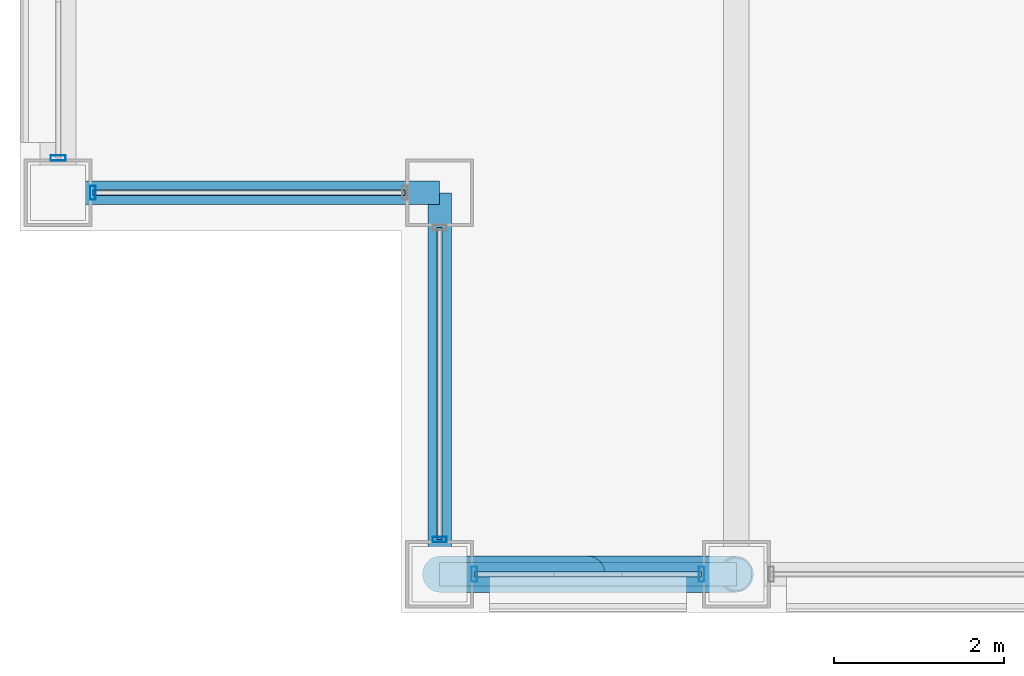
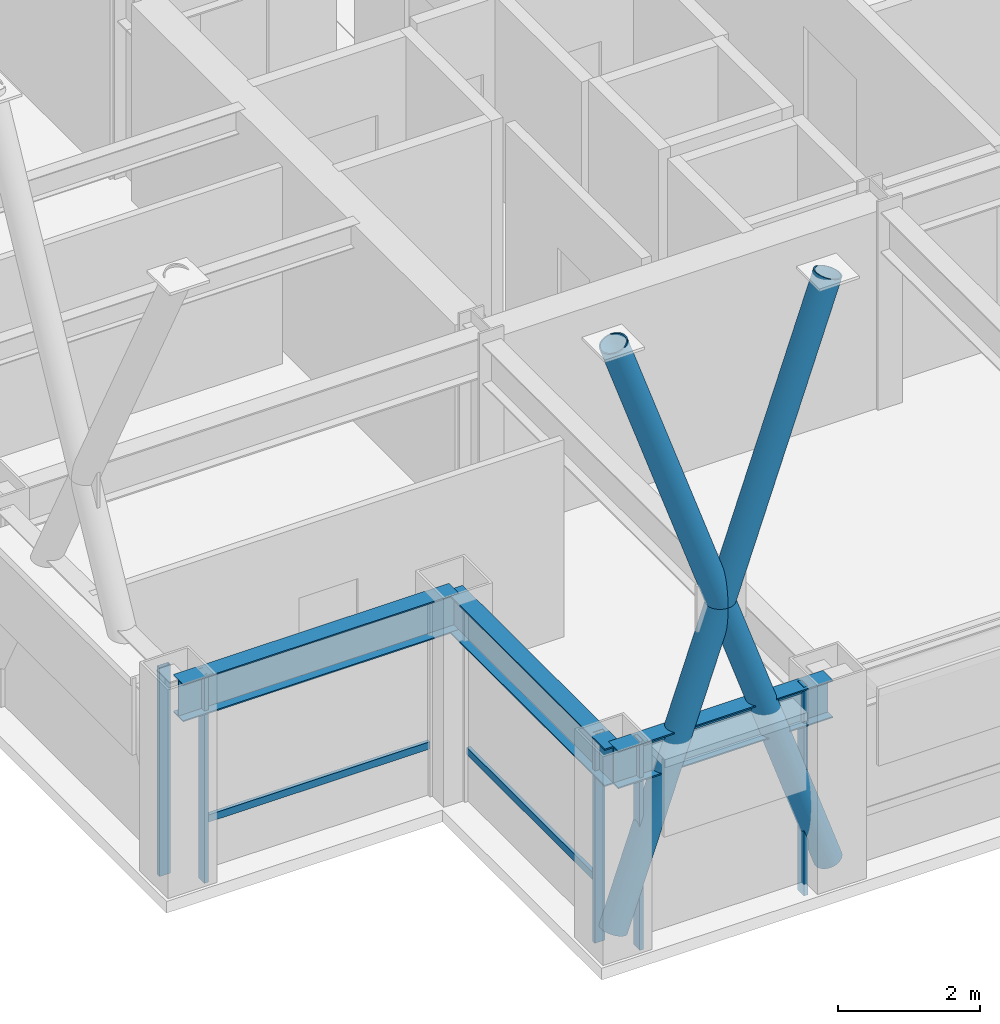
# One storey, part 2 of 35: 11 members, 3 beams, 4 elements without a shape of their own.
"""IFC4 building model written with IfcOpenShell, lengths in metres."""

from ifc_helpers import new_model, si_unit, direction, frame, origin, origin_2d, place, context, subcontext, project, spatial, hollow_rectangle, hollow_circle, i_section, extrude, material, layer, layer_set, material_profile, profile_set, type_object, element, aggregate, save


model = new_model("IFC4")

# Units and contexts
model_context = context("Model", 3, precision=1e-05, world=origin(), true_north=direction((0.0, 1.0)))
body_context = subcontext(model_context, "Body", "Model", "MODEL_VIEW")
ifc_project = project(units=[si_unit("LENGTHUNIT", "METRE"), si_unit("AREAUNIT", "SQUARE_METRE"), si_unit("VOLUMEUNIT", "CUBIC_METRE"), si_unit("PLANEANGLEUNIT", "RADIAN"), si_unit("MASSUNIT", "GRAM", prefix="KILO")], contexts=[model_context])

# Site, building, storey
site_placement = place(None, origin())
site = spatial("IfcSite", under=ifc_project, at=site_placement, CompositionType="ELEMENT")
building_placement = place(site_placement, origin())
building = spatial("IfcBuilding", under=site, at=building_placement, Name="Brelmoor Portico Tower", CompositionType="ELEMENT")
storey_placement = place(building_placement, frame((0.0, 0.0, 131.39990234375)))
storey = spatial("IfcBuildingStorey", under=building, at=storey_placement, Name="L34", CompositionType="ELEMENT", Elevation=131.39990234375)

# Beams
ifc_material_1 = material(Name="Steel Q355B", Category="steel")
ifc_material_profile_1 = material_profile(ifc_material_1, i_section(OverallWidth=0.280029296875, OverallDepth=0.64990234375, WebThickness=0.012939453125, FlangeThickness=0.02197265625, at=origin_2d()), Name="HN 650x280x13x22")
ifc_profile_set_1 = profile_set([ifc_material_profile_1], Name="Steel Q355B")
beam_type = type_object("IfcBeamType", Name="BM-SP-650", PredefinedType="SPANDREL", material=ifc_profile_set_1)
beam_placement = place(storey_placement, frame((-18.050048828125, -19.550048828125, 3.0751953125), z_axis=(1.0, 0.0, 0.0), x_axis=(0.0, 1.0, 0.0)))
element("IfcBeam", 1, at=beam_placement, inside=storey, type_object=beam_type, Name="L34 Perimeter Spandrel Beam SP-01", PredefinedType="SPANDREL", context=body_context, shape_type="SweptSolid", body=[
    extrude(i_section(OverallWidth=0.280029296875, OverallDepth=0.64990234375, WebThickness=0.012939453125, FlangeThickness=0.02197265625, at=origin_2d()), origin(), (0.0, 0.0, 1.0), 3.5),
])
for number, where, z_axis, x_axis, name in (
    (2, (-22.550048828125, -15.050048828125, 3.0751953125), (1.0, 0.0, 0.0), (0.0, 1.0, 0.0), "L34 Perimeter Spandrel Beam SP-06"),
    (3, (-18.050048828125, -19.550048828125, 3.0751953125), (0.0, 1.0, 0.0), (-1.0, 0.0, 0.0), "L34 Perimeter Spandrel Beam SP-18"),
):
    element("IfcBeam", number, at=place(storey_placement, frame(where, z_axis=z_axis, x_axis=x_axis)), inside=storey, type_object=beam_type, Name=name, PredefinedType="SPANDREL", context=body_context, shape_type="SweptSolid", body=[
        extrude(i_section(OverallWidth=0.280029296875, OverallDepth=0.64990234375, WebThickness=0.012939453125, FlangeThickness=0.02197265625, at=origin_2d()), origin(), (0.0, 0.0, 1.0), 4.5),
    ])

# Members
ifc_material_profile_2 = material_profile(ifc_material_1, hollow_circle(Radius=0.212890625, WallThickness=0.02001953125, at=origin_2d()), Name="CHS 426x20")
ifc_profile_set_2 = profile_set([ifc_material_profile_2], Name="Steel Q355B")
member_type_1 = type_object("IfcMemberType", Name="MB-BELT-DIAG1", PredefinedType="BRACE", material=ifc_profile_set_2)
member_1_placement = place(storey_placement, frame((-18.050048828125, -19.550048828125, 0.25), z_axis=(0.327429033028, 0.0, 0.94487577402), x_axis=(0.0, 1.0, 0.0)))
element("IfcMember", 4, at=member_1_placement, inside=storey, type_object=member_type_1, Name="L34 Continuous Mega-X Brace 074A", PredefinedType="BRACE", context=body_context, shape_type="SweptSolid", body=[
    extrude(hollow_circle(Radius=0.212890625, WallThickness=0.02001953125, at=origin_2d()), origin(), (0.0, 0.0, 1.0), 10.689453125),
])
for number, where, z_axis, x_axis, name in (
    (5, (-14.550048828125, -19.550048828125, 0.25), (-0.327429033028, 0.0, 0.94487577402), (0.0, -1.0, 0.0), "L34 Split Mega-X Brace 074B1"),
    (6, (-16.300048828125, -19.550048828125, 5.300048828125), (-0.327429033028, 0.0, 0.94487577402), (0.0, -1.0, 0.0), "L34 Split Mega-X Brace 074B2"),
):
    element("IfcMember", number, at=place(storey_placement, frame(where, z_axis=z_axis, x_axis=x_axis)), inside=storey, type_object=member_type_1, Name=name, PredefinedType="BRACE", context=body_context, shape_type="SweptSolid", body=[
        extrude(hollow_circle(Radius=0.212890625, WallThickness=0.02001953125, at=origin_2d()), origin(), (0.0, 0.0, 1.0), 5.3447265625),
    ])

# Curtain wall, member
ifc_material_2 = material(Name="Anodised Aluminium Alloy 6063-T6", Category="aluminium")
ifc_layer_1 = layer(ifc_material_2, 0.179931640625)
ifc_layer_set_1 = layer_set([ifc_layer_1], Name="Anodised Aluminium Alloy 6063-T6")
curtain_wall_type_1 = type_object("IfcCurtainWallType", Name="CW-NOTCH-CHAMFER", PredefinedType="NOTDEFINED", material=ifc_layer_set_1)
curtain_wall_1_placement = place(storey_placement, origin())
curtain_wall_1 = element("IfcCurtainWall", 7, at=curtain_wall_1_placement, inside=storey, type_object=curtain_wall_type_1, Name="L34 Curtain Wall CWN-L34-SWH", PredefinedType="NOTDEFINED")
ifc_material_profile_3 = material_profile(ifc_material_2, hollow_rectangle(XDim=0.06494140625, YDim=0.1650390625, WallThickness=0.00390625, at=origin_2d()), Name="ALU MULLION 65x165")
ifc_profile_set_3 = profile_set([ifc_material_profile_3], Name="Anodised Aluminium Alloy 6063-T6")
member_type_2 = type_object("IfcMemberType", Name="MB-CW-MULL-165", PredefinedType="MULLION", material=ifc_profile_set_3)
member_2_placement = place(storey_placement, frame((-22.139892578125, -15.050048828125, -0.199951171875), z_axis=(0.0, 0.0, 1.0), x_axis=(1.0, 0.0, 0.0)))
member_2 = element("IfcMember", 8, at=member_2_placement, type_object=member_type_2, Name="CWN-L34-SWH Mullion 00", PredefinedType="MULLION", context=body_context, shape_type="SweptSolid", body=[
    extrude(hollow_rectangle(XDim=0.06494140625, YDim=0.1650390625, WallThickness=0.00390625, at=origin_2d()), origin(), (0.0, 0.0, 1.0), 3.60009765625),
])

curtain_wall_2_placement = place(storey_placement, origin())
curtain_wall_2 = element("IfcCurtainWall", 9, at=curtain_wall_2_placement, inside=storey, type_object=curtain_wall_type_1, Name="L34 Curtain Wall CWN-L34-SWV", PredefinedType="NOTDEFINED")
member_3_placement = place(storey_placement, frame((-18.050048828125, -19.139892578125, -0.199951171875), z_axis=(0.0, 0.0, 1.0), x_axis=(0.0, 1.0, 0.0)))
member_3 = element("IfcMember", 10, at=member_3_placement, type_object=member_type_2, Name="CWN-L34-SWV Mullion 00", PredefinedType="MULLION", context=body_context, shape_type="SweptSolid", body=[
    extrude(hollow_rectangle(XDim=0.06494140625, YDim=0.1650390625, WallThickness=0.00390625, at=origin_2d()), origin(), (0.0, 0.0, 1.0), 3.60009765625),
])

# Curtain wall, members
ifc_layer_2 = layer(ifc_material_2, 0.179931640625)
ifc_layer_set_2 = layer_set([ifc_layer_2], Name="Anodised Aluminium Alloy 6063-T6")
curtain_wall_type_2 = type_object("IfcCurtainWallType", Name="CW-TOWER-Z2-XB", PredefinedType="NOTDEFINED", material=ifc_layer_set_2)
curtain_wall_3_placement = place(storey_placement, origin())
curtain_wall_3 = element("IfcCurtainWall", 11, at=curtain_wall_3_placement, inside=storey, type_object=curtain_wall_type_2, Name="L34 Curtain Wall CW-L34-01-1", PredefinedType="NOTDEFINED")
ifc_material_profile_4 = material_profile(ifc_material_2, hollow_rectangle(XDim=0.06494140625, YDim=0.179931640625, WallThickness=0.00390625, at=origin_2d()), Name="ALU MULLION 65x180")
ifc_profile_set_4 = profile_set([ifc_material_profile_4], Name="Anodised Aluminium Alloy 6063-T6")
member_type_3 = type_object("IfcMemberType", Name="MB-CW-MULL-180", PredefinedType="MULLION", material=ifc_profile_set_4)
member_4_placement = place(storey_placement, frame((-17.639892578125, -19.550048828125, -0.199951171875), z_axis=(0.0, 0.0, 1.0), x_axis=(1.0, 0.0, 0.0)))
member_4 = element("IfcMember", 12, at=member_4_placement, type_object=member_type_3, Name="CW-L34-01-1 Mullion 00", PredefinedType="MULLION", context=body_context, shape_type="SweptSolid", body=[
    extrude(hollow_rectangle(XDim=0.06494140625, YDim=0.179931640625, WallThickness=0.00390625, at=origin_2d()), origin(), (0.0, 0.0, 1.0), 3.60009765625),
])
member_5_placement = place(storey_placement, frame((-14.9599609375, -19.550048828125, -0.199951171875), z_axis=(0.0, 0.0, 1.0), x_axis=(1.0, 0.0, 0.0)))
member_5 = element("IfcMember", 13, at=member_5_placement, type_object=member_type_3, Name="CW-L34-01-1 Mullion 01", PredefinedType="MULLION", context=body_context, shape_type="SweptSolid", body=[
    extrude(hollow_rectangle(XDim=0.06494140625, YDim=0.179931640625, WallThickness=0.00390625, at=origin_2d()), origin(), (0.0, 0.0, 1.0), 3.60009765625),
])

# Curtain wall, member
curtain_wall_4_placement = place(storey_placement, origin())
curtain_wall_4 = element("IfcCurtainWall", 14, at=curtain_wall_4_placement, inside=storey, type_object=curtain_wall_type_2, Name="L34 Curtain Wall CW-L34-03-1", PredefinedType="NOTDEFINED")
member_6_placement = place(storey_placement, frame((-22.550048828125, -14.639892578125, -0.199951171875), z_axis=(0.0, 0.0, 1.0), x_axis=(0.0, 1.0, 0.0)))
member_6 = element("IfcMember", 15, at=member_6_placement, type_object=member_type_3, Name="CW-L34-03-1 Mullion 00", PredefinedType="MULLION", context=body_context, shape_type="SweptSolid", body=[
    extrude(hollow_rectangle(XDim=0.06494140625, YDim=0.179931640625, WallThickness=0.00390625, at=origin_2d()), origin(), (0.0, 0.0, 1.0), 3.60009765625),
])
aggregate(curtain_wall_4, [member_6])

# Member
ifc_material_profile_5 = material_profile(ifc_material_2, hollow_rectangle(XDim=0.06005859375, YDim=0.125, WallThickness=0.00341796875, at=origin_2d()), Name="ALU TRANSOM 60x125")
ifc_profile_set_5 = profile_set([ifc_material_profile_5], Name="Anodised Aluminium Alloy 6063-T6")
member_type_4 = type_object("IfcMemberType", Name="MB-CW-TRAN-125", PredefinedType="USERDEFINED", material=ifc_profile_set_5)
member_7_placement = place(storey_placement, frame((-22.139892578125, -15.050048828125, 0.85009765625), z_axis=(1.0, 0.0, 0.0), x_axis=(0.0, 1.0, 0.0)))
member_7 = element("IfcMember", 16, at=member_7_placement, type_object=member_type_4, Name="CWN-L34-SWH Transom 1-00", ObjectType="TRANSOM", PredefinedType="USERDEFINED", context=body_context, shape_type="SweptSolid", body=[
    extrude(hollow_rectangle(XDim=0.06005859375, YDim=0.125, WallThickness=0.00341796875, at=origin_2d()), origin(), (0.0, 0.0, 1.0), 3.679931640625),
])

aggregate(curtain_wall_1, [member_2, member_7])

member_8_placement = place(storey_placement, frame((-18.050048828125, -19.139892578125, 0.85009765625), z_axis=(0.0, 1.0, 0.0), x_axis=(-1.0, 0.0, 0.0)))
member_8 = element("IfcMember", 17, at=member_8_placement, type_object=member_type_4, Name="CWN-L34-SWV Transom 1-00", ObjectType="TRANSOM", PredefinedType="USERDEFINED", context=body_context, shape_type="SweptSolid", body=[
    extrude(hollow_rectangle(XDim=0.06005859375, YDim=0.125, WallThickness=0.00341796875, at=origin_2d()), origin(), (0.0, 0.0, 1.0), 3.679931640625),
])

aggregate(curtain_wall_2, [member_3, member_8])

ifc_material_profile_6 = material_profile(ifc_material_2, hollow_rectangle(XDim=0.06494140625, YDim=0.139892578125, WallThickness=0.00390625, at=origin_2d()), Name="ALU TRANSOM 65x140")
ifc_profile_set_6 = profile_set([ifc_material_profile_6], Name="Anodised Aluminium Alloy 6063-T6")
member_type_5 = type_object("IfcMemberType", Name="MB-CW-TRAN-140", PredefinedType="USERDEFINED", material=ifc_profile_set_6)
member_9_placement = place(storey_placement, frame((-17.639892578125, -19.550048828125, 3.330078125), z_axis=(1.0, 0.0, 0.0), x_axis=(0.0, 1.0, 0.0)))
member_9 = element("IfcMember", 18, at=member_9_placement, type_object=member_type_5, Name="CW-L34-01-1 Transom 1-00", ObjectType="TRANSOM", PredefinedType="USERDEFINED", context=body_context, shape_type="SweptSolid", body=[
    extrude(hollow_rectangle(XDim=0.06494140625, YDim=0.139892578125, WallThickness=0.00390625, at=origin_2d()), origin(), (0.0, 0.0, 1.0), 2.679931640625),
])

aggregate(curtain_wall_3, [member_4, member_5, member_9])

save(model, "model.ifc")
